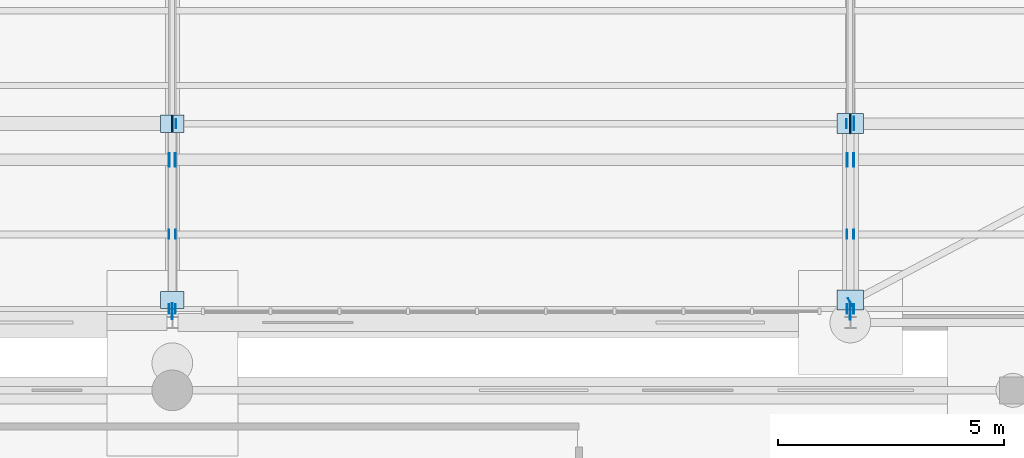
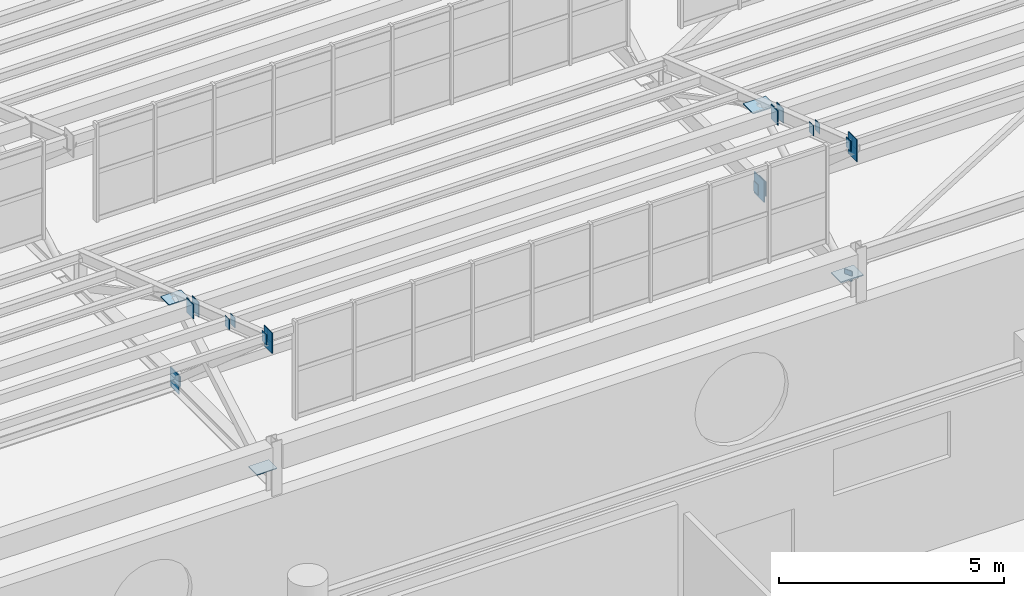
# One storey, part 191 of 285: 24 plates.
"""IFC4 building model written with IfcOpenShell, lengths in metres."""

from ifc_helpers import new_model, si_unit, direction, frame, origin, origin_2d, place, context, subcontext, project, spatial, rectangle, extrude, material, layer, layer_set, type_object, element, save


model = new_model("IFC4")

# Units and contexts
model_context = context("Model", 3, precision=1e-05, world=origin(), true_north=direction((0.0, 1.0)))
body_context = subcontext(model_context, "Body", "Model", "MODEL_VIEW")
ifc_project = project(units=[si_unit("LENGTHUNIT", "METRE"), si_unit("AREAUNIT", "SQUARE_METRE"), si_unit("VOLUMEUNIT", "CUBIC_METRE"), si_unit("PLANEANGLEUNIT", "RADIAN"), si_unit("MASSUNIT", "GRAM", prefix="KILO")], contexts=[model_context])

# Site, building, storey
site_placement = place(None, origin())
site = spatial("IfcSite", under=ifc_project, at=site_placement, CompositionType="ELEMENT")
building_placement = place(site_placement, origin())
building = spatial("IfcBuilding", under=site, at=building_placement, Name="Solanera Park Tramway Depot", CompositionType="ELEMENT")
storey_placement = place(building_placement, origin())
storey = spatial("IfcBuildingStorey", under=building, at=storey_placement, Name="L00", CompositionType="ELEMENT", Elevation=0.0)

# Plates
ifc_material_1 = material(Name="Steel AS/NZS 3679.1 Grade 350", Category="steel")
ifc_layer_1 = layer(ifc_material_1, 0.013916015625)
ifc_layer_set_1 = layer_set([ifc_layer_1], Name="Steel AS/NZS 3679.1 Grade 350")
plate_type_1 = type_object("IfcPlateType", Name="Hollow End Cap and Base Plate 280x200x14", PredefinedType="USERDEFINED", material=ifc_layer_set_1)
for number, where, z_axis, x_axis, name in (
    (1, (74.927978515625, 55.800048828125, 10.033203125), (0.0, 0.0, 1.0), (1.0, 0.0, 0.0), "Hollow Section Welded End Cap Plate #0124"),
    (2, (75.072021484375, 55.800048828125, 10.033203125), (0.0, 0.0, 1.0), (1.0, 0.0, 0.0), "Hollow Section Welded End Cap Plate #0125"),
    (3, (89.92529296875, 55.800048828125, 10.033203125), (0.0, 0.0, 1.0), (1.0, 0.0, 0.0), "Hollow Section Welded End Cap Plate #0126"),
    (4, (90.07470703125, 55.800048828125, 10.033203125), (0.0, 0.0, 1.0), (1.0, 0.0, 0.0), "Hollow Section Welded End Cap Plate #0127"),
    (5, (74.927978515625, 57.449951171875, 9.44775390625), (0.0, 0.0, 1.0), (1.0, 0.0, 0.0), "Hollow Section Welded End Cap Plate #0140"),
    (6, (75.072021484375, 57.449951171875, 9.44775390625), (0.0, 0.0, 1.0), (1.0, 0.0, 0.0), "Hollow Section Welded End Cap Plate #0141"),
    (7, (89.92529296875, 57.449951171875, 9.44775390625), (0.0, 0.0, 1.0), (1.0, 0.0, 0.0), "Hollow Section Welded End Cap Plate #0142"),
    (8, (90.07470703125, 57.449951171875, 9.44775390625), (0.0, 0.0, 1.0), (1.0, 0.0, 0.0), "Hollow Section Welded End Cap Plate #0143"),
    (9, (75.0849609375, 59.89990234375, 6.35986328125), (0.0, 0.0, 1.0), (1.0, 0.0, 0.0), "Hollow Section Welded End Cap Plate #0169"),
    (10, (89.9150390625, 59.89990234375, 6.35986328125), (0.0, 0.0, 1.0), (1.0, 0.0, 0.0), "Hollow Section Welded End Cap Plate #0170"),
    (11, (89.999267578125, 55.948486328125, 6.35986328125), (0.0, 0.0, 1.0), (0.883520501477, 0.468392488698, 0.0), "Hollow Section Welded End Cap Plate #0173"),
):
    element("IfcPlate", number, at=place(storey_placement, frame(where, z_axis=z_axis, x_axis=x_axis)), inside=storey, type_object=plate_type_1, Name=name, ObjectType="BASE PLATE", PredefinedType="USERDEFINED", context=body_context, shape_type="SweptSolid", body=[
        extrude(rectangle(XDim=0.013916015625, YDim=0.199951171875, at=origin_2d()), origin(), (0.0, 0.0, 1.0), 0.280029296875),
    ])
ifc_material_2 = material(Name="Steel AS/NZS 3679.1 Grade 350", Category="steel")
ifc_layer_2 = layer(ifc_material_2, 0.02001953125)
ifc_layer_set_2 = layer_set([ifc_layer_2], Name="Steel AS/NZS 3679.1 Grade 350")
plate_type_2 = type_object("IfcPlateType", Name="Hollow End Cap and Base Plate 400x300x20", PredefinedType="USERDEFINED", material=ifc_layer_set_2)
for number, where, z_axis, x_axis, name in (
    (12, (74.930908203125, 59.10009765625, 8.76904296875), (0.0, 0.0, 1.0), (1.0, 0.0, 0.0), "Hollow Section Welded End Cap Plate #0156"),
    (13, (75.069091796875, 59.10009765625, 8.76904296875), (0.0, 0.0, 1.0), (1.0, 0.0, 0.0), "Hollow Section Welded End Cap Plate #0157"),
    (14, (89.92822265625, 59.10009765625, 8.76904296875), (0.0, 0.0, 1.0), (1.0, 0.0, 0.0), "Hollow Section Welded End Cap Plate #0158"),
    (15, (90.07177734375, 59.10009765625, 8.76904296875), (0.0, 0.0, 1.0), (1.0, 0.0, 0.0), "Hollow Section Welded End Cap Plate #0159"),
    (16, (90.08203125, 59.89990234375, 6.300048828125), (0.0, 0.0, 1.0), (1.0, 0.0, 0.0), "Hollow Section Welded End Cap Plate #0171"),
):
    element("IfcPlate", number, at=place(storey_placement, frame(where, z_axis=z_axis, x_axis=x_axis)), inside=storey, type_object=plate_type_2, Name=name, ObjectType="BASE PLATE", PredefinedType="USERDEFINED", context=body_context, shape_type="SweptSolid", body=[
        extrude(rectangle(XDim=0.02001953125, YDim=0.300048828125, at=origin_2d()), origin(), (0.0, 0.0, 1.0), 0.39990234375),
    ])
ifc_material_3 = material(Name="Steel AS/NZS 3679.1 Grade 350", Category="steel")
ifc_layer_3 = layer(ifc_material_3, 0.02490234375)
ifc_layer_set_3 = layer_set([ifc_layer_3], Name="Steel AS/NZS 3679.1 Grade 350")
plate_type_3 = type_object("IfcPlateType", Name="Hollow End Cap and Base Plate 520x380x25", PredefinedType="USERDEFINED", material=ifc_layer_set_3)
plate_1_placement = place(storey_placement, frame((75.0, 59.89990234375, 6.239990234375), z_axis=(0.0, 0.0, 1.0), x_axis=(1.0, 0.0, 0.0)))
element("IfcPlate", 17, at=plate_1_placement, inside=storey, type_object=plate_type_3, Name="Sawtooth Truss Hollow End Cap #0093", ObjectType="BASE PLATE", PredefinedType="USERDEFINED", context=body_context, shape_type="SweptSolid", body=[
    extrude(rectangle(XDim=0.02490234375, YDim=0.3798828125, at=origin_2d()), origin(), (0.0, 0.0, 1.0), 0.52001953125),
])
for number, where, z_axis, x_axis, name in (
    (18, (75.0, 59.89990234375, 8.730224609375), (0.0, 0.0, 1.0), (1.0, 0.0, 0.0), "Sawtooth Truss Node Cap Plate #0095"),
    (19, (75.0, 56.0, 6.487548828125), (0.0, 0.0, 1.0), (1.0, 0.0, 0.0), "Sawtooth Truss Node Cap Plate #0096"),
):
    element("IfcPlate", number, at=place(storey_placement, frame(where, z_axis=z_axis, x_axis=x_axis)), inside=storey, type_object=plate_type_3, Name=name, ObjectType="BASE PLATE", PredefinedType="USERDEFINED", context=body_context, shape_type="SweptSolid", body=[
        extrude(rectangle(XDim=0.52001953125, YDim=0.3798828125, at=origin_2d()), origin(), (0.0, 0.0, 1.0), 0.02490234375),
    ])
ifc_material_4 = material(Name="Steel AS/NZS 3679.1 Grade 350", Category="steel")
ifc_layer_4 = layer(ifc_material_4, 0.028076171875)
ifc_layer_set_4 = layer_set([ifc_layer_4], Name="Steel AS/NZS 3679.1 Grade 350")
plate_type_4 = type_object("IfcPlateType", Name="Hollow End Cap and Base Plate 580x440x28", PredefinedType="USERDEFINED", material=ifc_layer_set_4)
plate_2_placement = place(storey_placement, frame((90.0, 59.89990234375, 6.2099609375), z_axis=(0.0, 0.0, 1.0), x_axis=(1.0, 0.0, 0.0)))
element("IfcPlate", 20, at=plate_2_placement, inside=storey, type_object=plate_type_4, Name="Sawtooth Truss Hollow End Cap #0098", ObjectType="BASE PLATE", PredefinedType="USERDEFINED", context=body_context, shape_type="SweptSolid", body=[
    extrude(rectangle(XDim=0.028076171875, YDim=0.43994140625, at=origin_2d()), origin(), (0.0, 0.0, 1.0), 0.580078125),
])
for number, where, z_axis, x_axis, name in (
    (21, (90.0, 59.89990234375, 8.70458984375), (0.0, 0.0, 1.0), (1.0, 0.0, 0.0), "Sawtooth Truss Node Cap Plate #0100"),
    (22, (90.0, 56.0, 6.48583984375), (0.0, 0.0, 1.0), (1.0, 0.0, 0.0), "Sawtooth Truss Node Cap Plate #0101"),
):
    element("IfcPlate", number, at=place(storey_placement, frame(where, z_axis=z_axis, x_axis=x_axis)), inside=storey, type_object=plate_type_4, Name=name, ObjectType="BASE PLATE", PredefinedType="USERDEFINED", context=body_context, shape_type="SweptSolid", body=[
        extrude(rectangle(XDim=0.580078125, YDim=0.43994140625, at=origin_2d()), origin(), (0.0, 0.0, 1.0), 0.028076171875),
    ])
ifc_material_5 = material(Name="Steel AS/NZS 3679.1 Grade 350", Category="steel")
ifc_layer_5 = layer(ifc_material_5, 0.02001953125)
ifc_layer_set_5 = layer_set([ifc_layer_5], Name="Steel AS/NZS 3679.1 Grade 350")
plate_type_5 = type_object("IfcPlateType", Name="Truss Node Gusset Stiffener 560x360x20", PredefinedType="SHEET", material=ifc_layer_set_5)
plate_3_placement = place(storey_placement, frame((75.0, 55.75, 9.85107421875), z_axis=(0.0, 0.0, 1.0), x_axis=(1.0, 0.0, 0.0)))
element("IfcPlate", 23, at=plate_3_placement, inside=storey, type_object=plate_type_5, Name="Sawtooth Truss Apex Gusset Plate #0092", PredefinedType="SHEET", context=body_context, shape_type="SweptSolid", body=[
    extrude(rectangle(XDim=0.02001953125, YDim=0.360107421875, at=origin_2d()), origin(), (0.0, 0.0, 1.0), 0.56005859375),
])
ifc_material_6 = material(Name="Steel AS/NZS 3679.1 Grade 350", Category="steel")
ifc_layer_6 = layer(ifc_material_6, 0.02001953125)
ifc_layer_set_6 = layer_set([ifc_layer_6], Name="Steel AS/NZS 3679.1 Grade 350")
plate_type_6 = type_object("IfcPlateType", Name="Truss Node Gusset Stiffener 600x380x20", PredefinedType="SHEET", material=ifc_layer_set_6)
plate_4_placement = place(storey_placement, frame((90.0, 55.75, 9.806884765625), z_axis=(0.0, 0.0, 1.0), x_axis=(1.0, 0.0, 0.0)))
element("IfcPlate", 24, at=plate_4_placement, inside=storey, type_object=plate_type_6, Name="Sawtooth Truss Apex Gusset Plate #0097", PredefinedType="SHEET", context=body_context, shape_type="SweptSolid", body=[
    extrude(rectangle(XDim=0.02001953125, YDim=0.3798828125, at=origin_2d()), origin(), (0.0, 0.0, 1.0), 0.60009765625),
])

save(model, "model.ifc")
